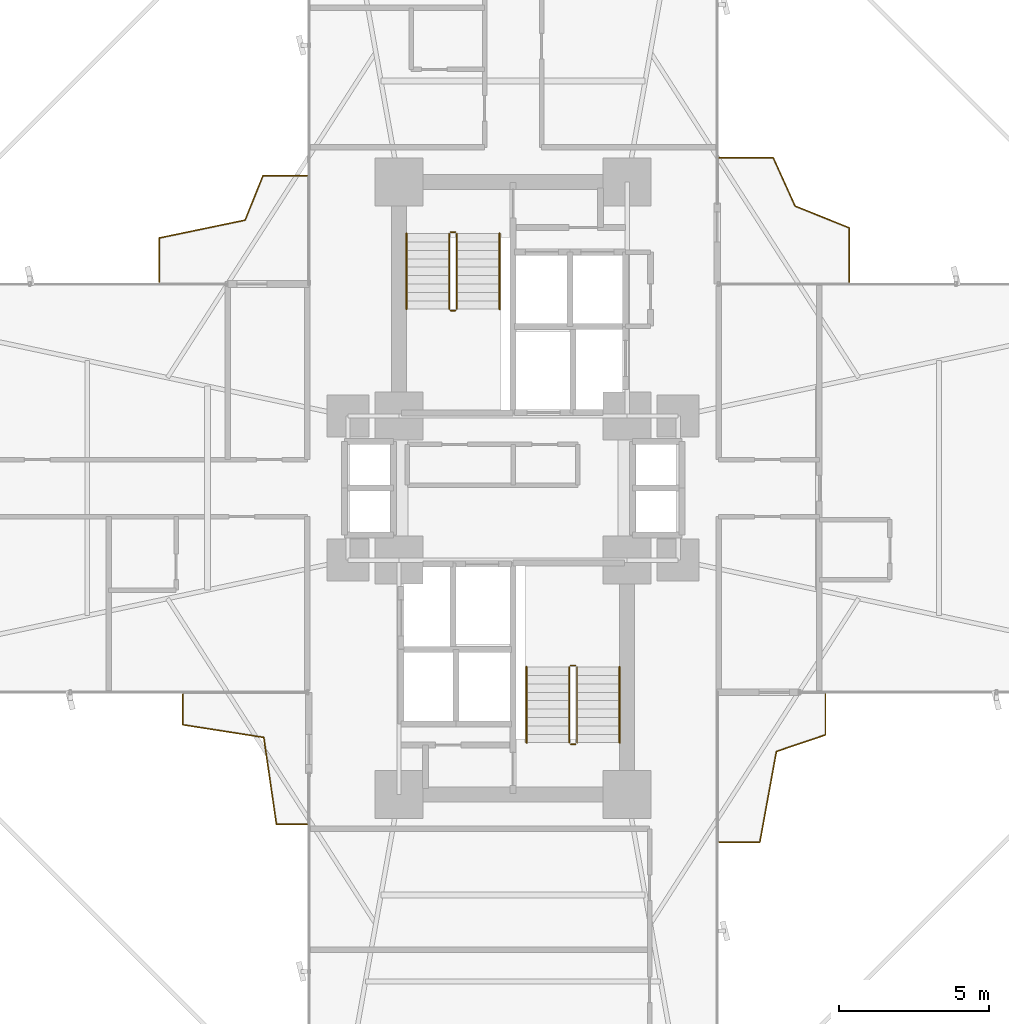
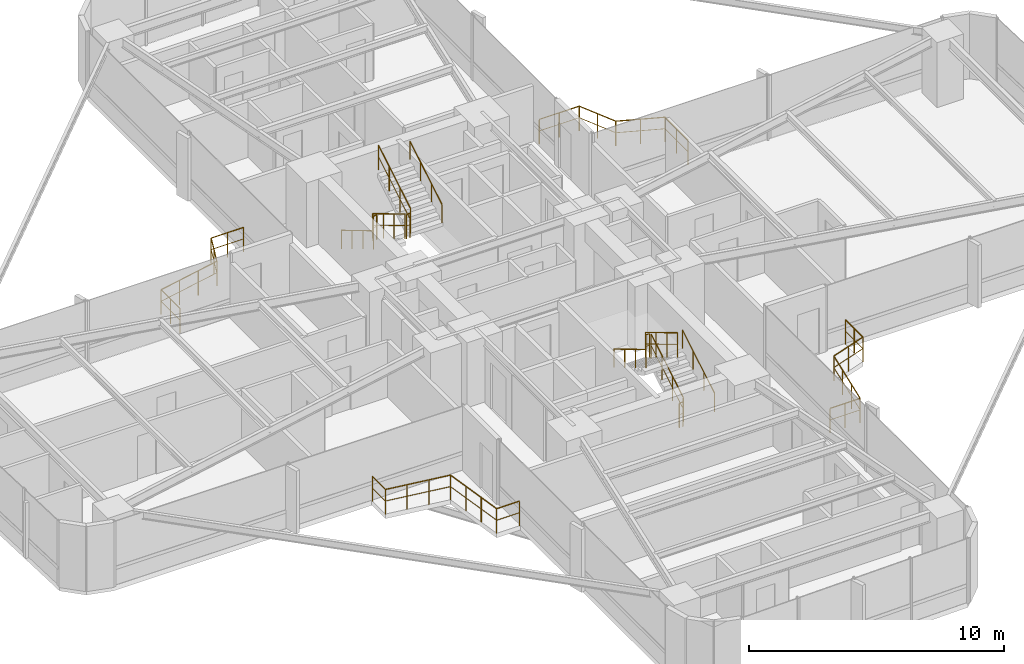
# One storey, part 25 of 25: 16 railings.
"""IFC4 building model written with IfcOpenShell, lengths in metres."""

import ifcopenshell
import ifcopenshell.guid

model = None  # the IFC model being written
_history = None  # IfcOwnerHistory: only IFC2X3 demands one
_inside = {}  # id of a spatial element -> (the spatial element, [elements in it])
_under = {}  # id of a project, library or spatial element -> (it, [spatial elements below it])
_declared = {}  # id of a project -> (the project, [libraries it declares])
_typed = {}  # id of a type object -> (the type object, [elements of that type])
_made_of = {}  # id of a material, layer set ... -> (it, [elements and type objects made of it])


def new_model(schema):
    """Start an empty IFC model of exactly this schema.

    Asked for "IFC4X3", IfcOpenShell would pick the latest addendum, in which some entities
    have other attributes; the version numbers below select the first issue.
    IFC2X3 requires an IfcOwnerHistory on every rooted entity: one is made here for all.
    """
    global model, _history
    if schema == "IFC4X3":
        model = ifcopenshell.file(schema_version=(4, 3, 0, 0))
    else:
        model = ifcopenshell.file(schema=schema)
    _inside.clear()
    _under.clear()
    _declared.clear()
    _typed.clear()
    _made_of.clear()
    _history = None
    if model.schema == "IFC2X3":
        org = make("IfcOrganization", Name="unknown")
        user = make(
            "IfcPersonAndOrganization",
            ThePerson=make("IfcPerson", FamilyName="unknown"),
            TheOrganization=org,
        )
        app = make(
            "IfcApplication",
            ApplicationDeveloper=org,
            Version="unknown",
            ApplicationFullName="unknown",
            ApplicationIdentifier="unknown",
        )
        _history = make(
            "IfcOwnerHistory",
            OwningUser=user,
            OwningApplication=app,
            ChangeAction="ADDED",
            CreationDate=0,
        )
    return model


def make(cls, **values):
    """One entity of the class cls with the attributes given. An attribute that is None is left unset."""
    return model.create_entity(
        cls, **{name: value for name, value in values.items() if value is not None}
    )


def rooted(cls, **values):
    """An entity with a GlobalId (a new one), such as an element, a storey or a relation."""
    return make(cls, GlobalId=ifcopenshell.guid.new(), OwnerHistory=_history, **values)


def si_unit(unit_type, name, prefix=None):
    """IfcSIUnit, for example si_unit("LENGTHUNIT", "METRE", prefix="MILLI")."""
    return make("IfcSIUnit", UnitType=unit_type, Prefix=prefix, Name=name)


def assignment(units):
    """IfcUnitAssignment: the units of a project."""
    return None if units is None else make("IfcUnitAssignment", Units=units)


def point(xyz):
    """IfcCartesianPoint."""
    return None if xyz is None else make("IfcCartesianPoint", Coordinates=xyz)


def direction(xyz):
    """IfcDirection."""
    return None if xyz is None else make("IfcDirection", DirectionRatios=xyz)


def frame(location, z_axis=None, x_axis=None):
    """IfcAxis2Placement3D, a coordinate frame: its origin and axes. An axis left out is left unset."""
    return make(
        "IfcAxis2Placement3D",
        Location=point(location),
        Axis=direction(z_axis),
        RefDirection=direction(x_axis),
    )


def frame_2d(location, x_axis=None):
    """IfcAxis2Placement2D, a coordinate frame in the plane: its origin and x axis."""
    return make(
        "IfcAxis2Placement2D", Location=point(location), RefDirection=direction(x_axis)
    )


def origin():
    """The frame at (0, 0, 0) with its axes left unset."""
    return frame((0.0, 0.0, 0.0))


def origin_2d():
    """The frame at (0, 0) in the plane with its x axis left unset."""
    return frame_2d((0.0, 0.0))


def place(relative_to, where):
    """IfcLocalPlacement: puts the frame where relative to a parent placement (None: the world)."""
    return make(
        "IfcLocalPlacement", PlacementRelTo=relative_to, RelativePlacement=where
    )


def context(
    kind, dimensions, precision=None, world=None, true_north=None, identifier=None
):
    """IfcGeometricRepresentationContext, for example the 3D "Model" context."""
    return make(
        "IfcGeometricRepresentationContext",
        ContextIdentifier=identifier,
        ContextType=kind,
        CoordinateSpaceDimension=dimensions,
        Precision=precision,
        WorldCoordinateSystem=world,
        TrueNorth=true_north,
    )


def subcontext(parent, identifier, kind, view, scale=None):
    """IfcGeometricRepresentationSubContext, for example "Body" below "Model"."""
    return make(
        "IfcGeometricRepresentationSubContext",
        ContextIdentifier=identifier,
        ContextType=kind,
        ParentContext=parent,
        TargetScale=scale,
        TargetView=view,
    )


def project(units=None, contexts=None):
    """IfcProject with its units and contexts."""
    return rooted(
        "IfcProject",
        Name="project",
        RepresentationContexts=contexts,
        UnitsInContext=assignment(units),
    )


def spatial(cls, under=None, at=None, **own):
    """A site, building, storey or space (cls), placed at a placement, below another one or the project."""
    s = rooted(cls, ObjectPlacement=at, **own)
    if under is not None:
        _under.setdefault(under.id(), (under, []))[1].append(s)
    return s


def profile(cls, at=None, kind="AREA", **sizes):
    """A parametric profile (cls). Its sizes go by their IFC names, for example OverallWidth=200.0."""
    return make(cls, ProfileType=kind, Position=at, **sizes)


def circle(**sizes):
    """IfcCircleProfileDef."""
    return profile("IfcCircleProfileDef", **sizes)


def extrude(swept, where, along, depth):
    """IfcExtrudedAreaSolid: the profile swept, set in the frame where, extruded along a direction by depth."""
    return make(
        "IfcExtrudedAreaSolid",
        SweptArea=swept,
        Position=where,
        ExtrudedDirection=direction(along),
        Depth=depth,
    )


def shape(context_of_items, identifier, shape_type, items):
    """IfcShapeRepresentation: the items that make up one representation, for example the "Body"."""
    return make(
        "IfcShapeRepresentation",
        ContextOfItems=context_of_items,
        RepresentationIdentifier=identifier,
        RepresentationType=shape_type,
        Items=items,
    )


def material(Name=None, Category=None):
    """IfcMaterial."""
    return make("IfcMaterial", Name=Name, Category=Category)


def made_of(thing, what):
    """Note that an element or type object is made of a material, layer set ...; save() writes the relation."""
    if what is not None:
        _made_of.setdefault(what.id(), (what, []))[1].append(thing)
    return thing


def type_object(cls, material=None, **own):
    """A type object (cls), such as IfcWallType, which elements share."""
    return made_of(rooted(cls, **own), material)


def element(
    cls,
    number,
    at=None,
    inside=None,
    cuts=None,
    type_object=None,
    material=None,
    context=None,
    identifier="Body",
    shape_type=None,
    held_by="IfcProductDefinitionShape",
    body=None,
    shapes=None,
    **own,
):
    """One element of the class cls, such as IfcWall. Its Tag is "e" and its number.

    at: its placement. inside: the storey or other place that contains it. cuts: it is an
    opening in that element (IfcRelVoidsElement). A single representation is given by context,
    identifier, shape_type and body (its items); several are given by shapes. held_by: the class
    of the entity that holds the representations. save() writes the other relations.
    """
    e = rooted(cls, Tag="e%d" % number, ObjectPlacement=at, **own)
    if body is not None:
        shapes = [shape(context, identifier, shape_type, body)]
    if shapes is not None:
        e.Representation = make(held_by, Representations=shapes)
    if inside is not None:
        _inside.setdefault(inside.id(), (inside, []))[1].append(e)
    if cuts is not None:
        rooted(
            "IfcRelVoidsElement", RelatingBuildingElement=cuts, RelatedOpeningElement=e
        )
    if type_object is not None:
        _typed.setdefault(type_object.id(), (type_object, []))[1].append(e)
    return made_of(e, material)


def aggregate(whole, parts):
    """IfcRelAggregates: a whole, such as a stair, and the parts it consists of."""
    return rooted("IfcRelAggregates", RelatingObject=whole, RelatedObjects=parts)


def save(model, path):
    """Write the relations noted so far, then the file.

    IfcRelAggregates (storeys below a building ...), IfcRelContainedInSpatialStructure (elements
    in a storey), IfcRelDefinesByType, IfcRelAssociatesMaterial and IfcRelDeclares: one each for
    every whole, place, type object, material and project.
    """
    for whole, parts in _under.values():
        aggregate(whole, parts)
    for where, things in _inside.values():
        rooted(
            "IfcRelContainedInSpatialStructure",
            RelatedElements=things,
            RelatingStructure=where,
        )
    for kind, things in _typed.values():
        rooted("IfcRelDefinesByType", RelatedObjects=things, RelatingType=kind)
    for what, things in _made_of.values():
        rooted("IfcRelAssociatesMaterial", RelatedObjects=things, RelatingMaterial=what)
    for by, libraries in _declared.values():
        rooted("IfcRelDeclares", RelatingContext=by, RelatedDefinitions=libraries)
    model.write(path)


model = new_model("IFC4")

# Units and contexts
model_context = context("Model", 3, precision=1e-05, world=origin(), true_north=direction((0.0, 1.0)))
body_context = subcontext(model_context, "Body", "Model", "MODEL_VIEW")
ifc_project = project(units=[si_unit("LENGTHUNIT", "METRE"), si_unit("AREAUNIT", "SQUARE_METRE"), si_unit("VOLUMEUNIT", "CUBIC_METRE"), si_unit("PLANEANGLEUNIT", "RADIAN"), si_unit("MASSUNIT", "GRAM", prefix="KILO")], contexts=[model_context])

# Site, building, storey
site_placement = place(None, origin())
site = spatial("IfcSite", under=ifc_project, at=site_placement, CompositionType="ELEMENT")
building_placement = place(site_placement, origin())
building = spatial("IfcBuilding", under=site, at=building_placement, Name="Sahyath Konkavel Grand Hotel", CompositionType="ELEMENT")
storey_placement = place(building_placement, frame((0.0, 0.0, 54.39990234375)))
storey = spatial("IfcBuildingStorey", under=building, at=storey_placement, Name="L14", CompositionType="ELEMENT", Elevation=54.39990234375)

# Railings
ifc_material_1 = material(Name="Anodised Bronze Aluminium", Category="aluminium")
railing_type_1 = type_object("IfcRailingType", Name="RLG-BALC-1200", PredefinedType="GUARDRAIL", material=ifc_material_1)
railing_1_placement = place(storey_placement, frame((11.198974609375, 6.860107421875, 0.0)))
element("IfcRailing", 1, at=railing_1_placement, inside=storey, type_object=railing_type_1, Name="L14 Winter-Garden Guard NE", PredefinedType="GUARDRAIL", context=body_context, shape_type="SweptSolid", body=[
    extrude(circle(Radius=0.02392578125, at=origin_2d()), frame((0.0, 0.001953125, 1.17578125), z_axis=(0.0, 1.0, 0.0), x_axis=(-1.0, 0.0, 0.0)), (0.0, 0.0, 1.0), 1.804443359375),
    extrude(circle(Radius=0.01416015625, at=origin_2d()), frame((0.0, 0.001953125, 0.6240234375), z_axis=(0.0, 1.0, 0.0), x_axis=(-1.0, 0.0, 0.0)), (0.0, 0.0, 1.0), 1.804443359375),
    extrude(circle(Radius=0.02392578125, at=origin_2d()), frame((-0.001953125, 1.80908203125, 1.17578125), z_axis=(-0.927590980108, 0.373597341562, 0.0), x_axis=(-0.373597341562, -0.927590980108, 0.0)), (0.0, 0.0, 1.0), 1.940673828125),
    extrude(circle(Radius=0.01416015625, at=origin_2d()), frame((-0.001953125, 1.80908203125, 0.6240234375), z_axis=(-0.927590980108, 0.373597341562, 0.0), x_axis=(-0.373597341562, -0.927590980108, 0.0)), (0.0, 0.0, 1.0), 1.940673828125),
    extrude(circle(Radius=0.02392578125, at=origin_2d()), frame((-1.8046875, 2.53662109375, 1.17578125), z_axis=(-0.412195245065, 0.911095538319, 0.0), x_axis=(-0.911095538319, -0.412195245065, 0.0)), (0.0, 0.0, 1.0), 1.758544921875),
    extrude(circle(Radius=0.01416015625, at=origin_2d()), frame((-1.8046875, 2.53662109375, 0.6240234375), z_axis=(-0.412195245065, 0.911095538319, 0.0), x_axis=(-0.911095538319, -0.412195245065, 0.0)), (0.0, 0.0, 1.0), 1.758544921875),
    extrude(circle(Radius=0.02392578125, at=origin_2d()), frame((-2.532470703125, 4.140869140625, 1.17578125), z_axis=(-1.0, 0.0, 0.0), x_axis=(0.0, -1.0, 0.0)), (0.0, 0.0, 1.0), 1.804443359375),
    extrude(circle(Radius=0.01416015625, at=origin_2d()), frame((-2.532470703125, 4.140869140625, 0.6240234375), z_axis=(-1.0, 0.0, 0.0), x_axis=(0.0, -1.0, 0.0)), (0.0, 0.0, 1.0), 1.804443359375),
    extrude(circle(Radius=0.02099609375, at=origin_2d()), origin(), (0.0, 0.0, 1.0), 1.15185546875),
    extrude(circle(Radius=0.02099609375, at=origin_2d()), frame((0.0, 0.904296875, 0.0)), (0.0, 0.0, 1.0), 1.15185546875),
    extrude(circle(Radius=0.02099609375, at=origin_2d()), frame((0.0, 1.808349609375, 0.0)), (0.0, 0.0, 1.0), 1.15185546875),
    extrude(circle(Radius=0.02099609375, at=origin_2d()), frame((-0.90185546875, 2.171630859375, 0.0)), (0.0, 0.0, 1.0), 1.15185546875),
    extrude(circle(Radius=0.02099609375, at=origin_2d()), frame((-1.803955078125, 2.534912109375, 0.0)), (0.0, 0.0, 1.0), 1.15185546875),
    extrude(circle(Radius=0.02099609375, at=origin_2d()), frame((-2.167236328125, 3.337890625, 0.0)), (0.0, 0.0, 1.0), 1.15185546875),
    extrude(circle(Radius=0.02099609375, at=origin_2d()), frame((-2.530517578125, 4.140869140625, 0.0)), (0.0, 0.0, 1.0), 1.15185546875),
    extrude(circle(Radius=0.02099609375, at=origin_2d()), frame((-3.4345703125, 4.140869140625, 0.0)), (0.0, 0.0, 1.0), 1.15185546875),
    extrude(circle(Radius=0.02099609375, at=origin_2d()), frame((-4.3388671875, 4.140869140625, 0.0)), (0.0, 0.0, 1.0), 1.15185546875),
])
railing_2_placement = place(storey_placement, frame((-6.860107421875, 10.406982421875, 0.0)))
element("IfcRailing", 2, at=railing_2_placement, inside=storey, type_object=railing_type_1, Name="L14 Winter-Garden Guard NW", PredefinedType="GUARDRAIL", context=body_context, shape_type="SweptSolid", body=[
    extrude(circle(Radius=0.02392578125, at=origin_2d()), frame((-0.001953125, 0.0, 1.17578125), z_axis=(-1.0, 0.0, 0.0), x_axis=(0.0, -1.0, 0.0)), (0.0, 0.0, 1.0), 1.46728515625),
    extrude(circle(Radius=0.01416015625, at=origin_2d()), frame((-0.001953125, 0.0, 0.6240234375), z_axis=(-1.0, 0.0, 0.0), x_axis=(0.0, -1.0, 0.0)), (0.0, 0.0, 1.0), 1.46728515625),
    extrude(circle(Radius=0.02392578125, at=origin_2d()), frame((-1.471923828125, -0.001953125, 1.17578125), z_axis=(-0.373395040789, -0.927672433305, 0.0), x_axis=(0.927672433305, -0.373395040789, 0.0)), (0.0, 0.0, 1.0), 1.59130859375),
    extrude(circle(Radius=0.01416015625, at=origin_2d()), frame((-1.471923828125, -0.001953125, 0.6240234375), z_axis=(-0.373395040789, -0.927672433305, 0.0), x_axis=(0.927672433305, -0.373395040789, 0.0)), (0.0, 0.0, 1.0), 1.59130859375),
    extrude(circle(Radius=0.02392578125, at=origin_2d()), frame((-2.06884765625, -1.48046875, 1.17578125), z_axis=(-0.979073989329, -0.203504602944, 0.0), x_axis=(0.203504602944, -0.979073989329, 0.0)), (0.0, 0.0, 1.0), 2.92333984375),
    extrude(circle(Radius=0.01416015625, at=origin_2d()), frame((-2.06884765625, -1.48046875, 0.6240234375), z_axis=(-0.979073989329, -0.203504602944, 0.0), x_axis=(0.203504602944, -0.979073989329, 0.0)), (0.0, 0.0, 1.0), 2.92333984375),
    extrude(circle(Radius=0.02392578125, at=origin_2d()), frame((-4.932861328125, -2.07763671875, 1.17578125), z_axis=(0.0, -1.0, 0.0), x_axis=(1.0, 0.0, 0.0)), (0.0, 0.0, 1.0), 1.46728515625),
    extrude(circle(Radius=0.01416015625, at=origin_2d()), frame((-4.932861328125, -2.07763671875, 0.6240234375), z_axis=(0.0, -1.0, 0.0), x_axis=(1.0, 0.0, 0.0)), (0.0, 0.0, 1.0), 1.46728515625),
    extrude(circle(Radius=0.02099609375, at=origin_2d()), origin(), (0.0, 0.0, 1.0), 1.15185546875),
    extrude(circle(Radius=0.02099609375, at=origin_2d()), frame((-0.735595703125, 0.0, 0.0)), (0.0, 0.0, 1.0), 1.15185546875),
    extrude(circle(Radius=0.02099609375, at=origin_2d()), frame((-1.47119140625, 0.0, 0.0)), (0.0, 0.0, 1.0), 1.15185546875),
    extrude(circle(Radius=0.02099609375, at=origin_2d()), frame((-1.76904296875, -0.739990234375, 0.0)), (0.0, 0.0, 1.0), 1.15185546875),
    extrude(circle(Radius=0.02099609375, at=origin_2d()), frame((-2.06689453125, -1.47998046875, 0.0)), (0.0, 0.0, 1.0), 1.15185546875),
    extrude(circle(Radius=0.02099609375, at=origin_2d()), frame((-3.022216796875, -1.678466796875, 0.0)), (0.0, 0.0, 1.0), 1.15185546875),
    extrude(circle(Radius=0.02099609375, at=origin_2d()), frame((-3.9775390625, -1.877197265625, 0.0)), (0.0, 0.0, 1.0), 1.15185546875),
    extrude(circle(Radius=0.02099609375, at=origin_2d()), frame((-4.932861328125, -2.07568359375, 0.0)), (0.0, 0.0, 1.0), 1.15185546875),
    extrude(circle(Radius=0.02099609375, at=origin_2d()), frame((-4.932861328125, -2.811279296875, 0.0)), (0.0, 0.0, 1.0), 1.15185546875),
    extrude(circle(Radius=0.02099609375, at=origin_2d()), frame((-4.932861328125, -3.546875, 0.0)), (0.0, 0.0, 1.0), 1.15185546875),
])
railing_3_placement = place(storey_placement, frame((-11.0009765625, -6.860107421875, 0.0)))
element("IfcRailing", 3, at=railing_3_placement, inside=storey, type_object=railing_type_1, Name="L14 Winter-Garden Guard SW", PredefinedType="GUARDRAIL", context=body_context, shape_type="SweptSolid", body=[
    extrude(circle(Radius=0.02392578125, at=origin_2d()), frame((0.0, -0.001953125, 1.17578125), z_axis=(0.0, -1.0, 0.0), x_axis=(1.0, 0.0, 0.0)), (0.0, 0.0, 1.0), 1.01953125),
    extrude(circle(Radius=0.01416015625, at=origin_2d()), frame((0.0, -0.001953125, 0.6240234375), z_axis=(0.0, -1.0, 0.0), x_axis=(1.0, 0.0, 0.0)), (0.0, 0.0, 1.0), 1.01953125),
    extrude(circle(Radius=0.02392578125, at=origin_2d()), frame((0.001953125, -1.023681640625, 1.17578125), z_axis=(0.988004783039, -0.154423277689, 0.0), x_axis=(0.154423277689, 0.988004783039, 0.0)), (0.0, 0.0, 1.0), 2.724853515625),
    extrude(circle(Radius=0.01416015625, at=origin_2d()), frame((0.001953125, -1.023681640625, 0.6240234375), z_axis=(0.988004783039, -0.154423277689, 0.0), x_axis=(0.154423277689, 0.988004783039, 0.0)), (0.0, 0.0, 1.0), 2.724853515625),
    extrude(circle(Radius=0.02392578125, at=origin_2d()), frame((2.6962890625, -1.44677734375, 1.17578125), z_axis=(0.144085507529, -0.989565241164, 0.0), x_axis=(0.989565241164, 0.144085507529, 0.0)), (0.0, 0.0, 1.0), 2.920654296875),
    extrude(circle(Radius=0.01416015625, at=origin_2d()), frame((2.6962890625, -1.44677734375, 0.6240234375), z_axis=(0.144085507529, -0.989565241164, 0.0), x_axis=(0.989565241164, 0.144085507529, 0.0)), (0.0, 0.0, 1.0), 2.920654296875),
    extrude(circle(Radius=0.02392578125, at=origin_2d()), frame((3.119384765625, -4.3388671875, 1.17578125), z_axis=(1.0, 0.0, 0.0), x_axis=(0.0, 1.0, 0.0)), (0.0, 0.0, 1.0), 1.01953125),
    extrude(circle(Radius=0.01416015625, at=origin_2d()), frame((3.119384765625, -4.3388671875, 0.6240234375), z_axis=(1.0, 0.0, 0.0), x_axis=(0.0, 1.0, 0.0)), (0.0, 0.0, 1.0), 1.01953125),
    extrude(circle(Radius=0.02099609375, at=origin_2d()), origin(), (0.0, 0.0, 1.0), 1.15185546875),
    extrude(circle(Radius=0.02099609375, at=origin_2d()), frame((0.0, -1.0234375, 0.0)), (0.0, 0.0, 1.0), 1.15185546875),
    extrude(circle(Radius=0.02099609375, at=origin_2d()), frame((0.898681640625, -1.163818359375, 0.0)), (0.0, 0.0, 1.0), 1.15185546875),
    extrude(circle(Radius=0.02099609375, at=origin_2d()), frame((1.79736328125, -1.304443359375, 0.0)), (0.0, 0.0, 1.0), 1.15185546875),
    extrude(circle(Radius=0.02099609375, at=origin_2d()), frame((2.696044921875, -1.44482421875, 0.0)), (0.0, 0.0, 1.0), 1.15185546875),
    extrude(circle(Radius=0.02099609375, at=origin_2d()), frame((2.83642578125, -2.409423828125, 0.0)), (0.0, 0.0, 1.0), 1.15185546875),
    extrude(circle(Radius=0.02099609375, at=origin_2d()), frame((2.97705078125, -3.374267578125, 0.0)), (0.0, 0.0, 1.0), 1.15185546875),
    extrude(circle(Radius=0.02099609375, at=origin_2d()), frame((3.117431640625, -4.3388671875, 0.0)), (0.0, 0.0, 1.0), 1.15185546875),
    extrude(circle(Radius=0.02099609375, at=origin_2d()), frame((4.140869140625, -4.3388671875, 0.0)), (0.0, 0.0, 1.0), 1.15185546875),
])
railing_4_placement = place(storey_placement, frame((6.860107421875, -11.79296875, 0.0)))
element("IfcRailing", 4, at=railing_4_placement, inside=storey, type_object=railing_type_1, Name="L14 Winter-Garden Guard SE", PredefinedType="GUARDRAIL", context=body_context, shape_type="SweptSolid", body=[
    extrude(circle(Radius=0.02392578125, at=origin_2d()), frame((0.001953125, 0.0, 1.17578125), z_axis=(1.0, 0.0, 0.0), x_axis=(0.0, 1.0, 0.0)), (0.0, 0.0, 1.0), 1.356689453125),
    extrude(circle(Radius=0.01416015625, at=origin_2d()), frame((0.001953125, 0.0, 0.6240234375), z_axis=(1.0, 0.0, 0.0), x_axis=(0.0, 1.0, 0.0)), (0.0, 0.0, 1.0), 1.356689453125),
    extrude(circle(Radius=0.02392578125, at=origin_2d()), frame((1.36083984375, 0.001953125, 1.17578125), z_axis=(0.179879055482, 0.983688734, 0.0), x_axis=(-0.983688734, 0.179879055482, 0.0)), (0.0, 0.0, 1.0), 3.066162109375),
    extrude(circle(Radius=0.01416015625, at=origin_2d()), frame((1.36083984375, 0.001953125, 0.6240234375), z_axis=(0.179879055482, 0.983688734, 0.0), x_axis=(-0.983688734, 0.179879055482, 0.0)), (0.0, 0.0, 1.0), 3.066162109375),
    extrude(circle(Radius=0.02392578125, at=origin_2d()), frame((1.914794921875, 3.020751953125, 1.17578125), z_axis=(0.947358712774, 0.320174123457, 0.0), x_axis=(-0.320174123457, 0.947358712774, 0.0)), (0.0, 0.0, 1.0), 1.720947265625),
    extrude(circle(Radius=0.01416015625, at=origin_2d()), frame((1.914794921875, 3.020751953125, 0.6240234375), z_axis=(0.947358712774, 0.320174123457, 0.0), x_axis=(-0.320174123457, 0.947358712774, 0.0)), (0.0, 0.0, 1.0), 1.720947265625),
    extrude(circle(Radius=0.02392578125, at=origin_2d()), frame((3.546875, 3.57421875, 1.17578125), z_axis=(0.0, 1.0, 0.0), x_axis=(-1.0, 0.0, 0.0)), (0.0, 0.0, 1.0), 1.356689453125),
    extrude(circle(Radius=0.01416015625, at=origin_2d()), frame((3.546875, 3.57421875, 0.6240234375), z_axis=(0.0, 1.0, 0.0), x_axis=(-1.0, 0.0, 0.0)), (0.0, 0.0, 1.0), 1.356689453125),
    extrude(circle(Radius=0.02099609375, at=origin_2d()), origin(), (0.0, 0.0, 1.0), 1.15185546875),
    extrude(circle(Radius=0.02099609375, at=origin_2d()), frame((0.68017578125, 0.0, 0.0)), (0.0, 0.0, 1.0), 1.15185546875),
    extrude(circle(Radius=0.02099609375, at=origin_2d()), frame((1.360595703125, 0.0, 0.0)), (0.0, 0.0, 1.0), 1.15185546875),
    extrude(circle(Radius=0.02099609375, at=origin_2d()), frame((1.544677734375, 1.006591796875, 0.0)), (0.0, 0.0, 1.0), 1.15185546875),
    extrude(circle(Radius=0.02099609375, at=origin_2d()), frame((1.728759765625, 2.013427734375, 0.0)), (0.0, 0.0, 1.0), 1.15185546875),
    extrude(circle(Radius=0.02099609375, at=origin_2d()), frame((1.912841796875, 3.02001953125, 0.0)), (0.0, 0.0, 1.0), 1.15185546875),
    extrude(circle(Radius=0.02099609375, at=origin_2d()), frame((2.72998046875, 3.296142578125, 0.0)), (0.0, 0.0, 1.0), 1.15185546875),
    extrude(circle(Radius=0.02099609375, at=origin_2d()), frame((3.546875, 3.572265625, 0.0)), (0.0, 0.0, 1.0), 1.15185546875),
    extrude(circle(Radius=0.02099609375, at=origin_2d()), frame((3.546875, 4.25244140625, 0.0)), (0.0, 0.0, 1.0), 1.15185546875),
    extrude(circle(Radius=0.02099609375, at=origin_2d()), frame((3.546875, 4.932861328125, 0.0)), (0.0, 0.0, 1.0), 1.15185546875),
])
ifc_material_2 = material(Name="Steel E350", Category="steel")
railing_type_2 = type_object("IfcRailingType", Name="RLG-STAIR-GRD", PredefinedType="GUARDRAIL", material=ifc_material_2)
railing_5_placement = place(storey_placement, frame((-2.1298828125, 8.47998046875, 0.16748046875)))
element("IfcRailing", 5, at=railing_5_placement, inside=storey, type_object=railing_type_2, Name="L14 ST-1 stair guard 1", PredefinedType="GUARDRAIL", context=body_context, shape_type="SweptSolid", body=[
    extrude(circle(Radius=0.02392578125, at=origin_2d()), frame((0.0, -0.001708984375, 1.177001953125), z_axis=(0.0, -0.858159760407, 0.513382728203), x_axis=(1.0, 0.0, 0.0)), (0.0, 0.0, 1.0), 2.9326171875),
    extrude(circle(Radius=0.01416015625, at=origin_2d()), frame((0.0, -0.001708984375, 0.625), z_axis=(0.0, -0.858159760407, 0.513382728203), x_axis=(1.0, 0.0, 0.0)), (0.0, 0.0, 1.0), 2.9326171875),
    extrude(circle(Radius=0.02099609375, at=origin_2d()), origin(), (0.0, 0.0, 1.0), 1.15185546875),
    extrude(circle(Radius=0.02099609375, at=origin_2d()), frame((0.0, -0.840087890625, 0.50244140625)), (0.0, 0.0, 1.0), 1.15185546875),
    extrude(circle(Radius=0.02099609375, at=origin_2d()), frame((0.0, -1.679931640625, 1.005126953125)), (0.0, 0.0, 1.0), 1.15185546875),
    extrude(circle(Radius=0.02099609375, at=origin_2d()), frame((0.0, -2.52001953125, 1.507568359375)), (0.0, 0.0, 1.0), 1.15185546875),
])
railing_6_placement = place(storey_placement, frame((-2.080078125, 5.909912109375, 1.675048828125)))
element("IfcRailing", 6, at=railing_6_placement, inside=storey, type_object=railing_type_2, Name="L14 ST-1 stair guard 2", PredefinedType="GUARDRAIL", context=body_context, shape_type="SweptSolid", body=[
    extrude(circle(Radius=0.02392578125, at=origin_2d()), frame((0.001953125, 0.0, 1.17578125), z_axis=(1.0, 0.0, 0.0), x_axis=(0.0, 1.0, 0.0)), (0.0, 0.0, 1.0), 0.15625),
    extrude(circle(Radius=0.01416015625, at=origin_2d()), frame((0.001953125, 0.0, 0.6240234375), z_axis=(1.0, 0.0, 0.0), x_axis=(0.0, 1.0, 0.0)), (0.0, 0.0, 1.0), 0.15625),
    extrude(circle(Radius=0.02099609375, at=origin_2d()), origin(), (0.0, 0.0, 1.0), 1.15185546875),
    extrude(circle(Radius=0.02099609375, at=origin_2d()), frame((0.16015625, 0.0, 0.0)), (0.0, 0.0, 1.0), 1.15185546875),
])
railing_7_placement = place(storey_placement, frame((-1.8701171875, 5.9599609375, 1.842529296875)))
element("IfcRailing", 7, at=railing_7_placement, inside=storey, type_object=railing_type_2, Name="L14 ST-1 stair guard 3", PredefinedType="GUARDRAIL", context=body_context, shape_type="SweptSolid", body=[
    extrude(circle(Radius=0.02392578125, at=origin_2d()), frame((0.0, 0.001708984375, 1.177001953125), z_axis=(0.0, 0.858159760407, 0.513382728203), x_axis=(-1.0, 0.0, 0.0)), (0.0, 0.0, 1.0), 2.9326171875),
    extrude(circle(Radius=0.01416015625, at=origin_2d()), frame((0.0, 0.001708984375, 0.625), z_axis=(0.0, 0.858159760407, 0.513382728203), x_axis=(-1.0, 0.0, 0.0)), (0.0, 0.0, 1.0), 2.9326171875),
    extrude(circle(Radius=0.02099609375, at=origin_2d()), origin(), (0.0, 0.0, 1.0), 1.15185546875),
    extrude(circle(Radius=0.02099609375, at=origin_2d()), frame((0.0, 0.840087890625, 0.50244140625)), (0.0, 0.0, 1.0), 1.15185546875),
    extrude(circle(Radius=0.02099609375, at=origin_2d()), frame((0.0, 1.679931640625, 1.005126953125)), (0.0, 0.0, 1.0), 1.15185546875),
    extrude(circle(Radius=0.02099609375, at=origin_2d()), frame((0.0, 2.52001953125, 1.507568359375)), (0.0, 0.0, 1.0), 1.15185546875),
])
railing_8_placement = place(storey_placement, frame((-2.080078125, 8.530029296875, 0.0)))
element("IfcRailing", 8, at=railing_8_placement, inside=storey, type_object=railing_type_2, Name="L14 ST-1 stair guard 4", PredefinedType="GUARDRAIL", context=body_context, shape_type="SweptSolid", body=[
    extrude(circle(Radius=0.02392578125, at=origin_2d()), frame((0.001953125, 0.0, 1.17578125), z_axis=(1.0, 0.0, 0.0), x_axis=(0.0, 1.0, 0.0)), (0.0, 0.0, 1.0), 0.15625),
    extrude(circle(Radius=0.01416015625, at=origin_2d()), frame((0.001953125, 0.0, 0.6240234375), z_axis=(1.0, 0.0, 0.0), x_axis=(0.0, 1.0, 0.0)), (0.0, 0.0, 1.0), 0.15625),
    extrude(circle(Radius=0.02099609375, at=origin_2d()), origin(), (0.0, 0.0, 1.0), 1.15185546875),
    extrude(circle(Radius=0.02099609375, at=origin_2d()), frame((0.16015625, 0.0, 0.0)), (0.0, 0.0, 1.0), 1.15185546875),
])
railing_9_placement = place(storey_placement, frame((2.1298828125, -8.47998046875, 0.16748046875)))
element("IfcRailing", 9, at=railing_9_placement, inside=storey, type_object=railing_type_2, Name="L14 ST-2 stair guard 1", PredefinedType="GUARDRAIL", context=body_context, shape_type="SweptSolid", body=[
    extrude(circle(Radius=0.02392578125, at=origin_2d()), frame((0.0, 0.001708984375, 1.177001953125), z_axis=(0.0, 0.858159760407, 0.513382728203), x_axis=(-1.0, 0.0, 0.0)), (0.0, 0.0, 1.0), 2.9326171875),
    extrude(circle(Radius=0.01416015625, at=origin_2d()), frame((0.0, 0.001708984375, 0.625), z_axis=(0.0, 0.858159760407, 0.513382728203), x_axis=(-1.0, 0.0, 0.0)), (0.0, 0.0, 1.0), 2.9326171875),
    extrude(circle(Radius=0.02099609375, at=origin_2d()), origin(), (0.0, 0.0, 1.0), 1.15185546875),
    extrude(circle(Radius=0.02099609375, at=origin_2d()), frame((0.0, 0.840087890625, 0.50244140625)), (0.0, 0.0, 1.0), 1.15185546875),
    extrude(circle(Radius=0.02099609375, at=origin_2d()), frame((0.0, 1.679931640625, 1.005126953125)), (0.0, 0.0, 1.0), 1.15185546875),
    extrude(circle(Radius=0.02099609375, at=origin_2d()), frame((0.0, 2.52001953125, 1.507568359375)), (0.0, 0.0, 1.0), 1.15185546875),
])
railing_10_placement = place(storey_placement, frame((2.080078125, -5.909912109375, 1.675048828125)))
element("IfcRailing", 10, at=railing_10_placement, inside=storey, type_object=railing_type_2, Name="L14 ST-2 stair guard 2", PredefinedType="GUARDRAIL", context=body_context, shape_type="SweptSolid", body=[
    extrude(circle(Radius=0.02392578125, at=origin_2d()), frame((-0.001953125, 0.0, 1.17578125), z_axis=(-1.0, 0.0, 0.0), x_axis=(0.0, -1.0, 0.0)), (0.0, 0.0, 1.0), 0.15625),
    extrude(circle(Radius=0.01416015625, at=origin_2d()), frame((-0.001953125, 0.0, 0.6240234375), z_axis=(-1.0, 0.0, 0.0), x_axis=(0.0, -1.0, 0.0)), (0.0, 0.0, 1.0), 0.15625),
    extrude(circle(Radius=0.02099609375, at=origin_2d()), origin(), (0.0, 0.0, 1.0), 1.15185546875),
    extrude(circle(Radius=0.02099609375, at=origin_2d()), frame((-0.16015625, 0.0, 0.0)), (0.0, 0.0, 1.0), 1.15185546875),
])
railing_11_placement = place(storey_placement, frame((1.8701171875, -5.9599609375, 1.842529296875)))
element("IfcRailing", 11, at=railing_11_placement, inside=storey, type_object=railing_type_2, Name="L14 ST-2 stair guard 3", PredefinedType="GUARDRAIL", context=body_context, shape_type="SweptSolid", body=[
    extrude(circle(Radius=0.02392578125, at=origin_2d()), frame((0.0, -0.001708984375, 1.177001953125), z_axis=(0.0, -0.858159760407, 0.513382728203), x_axis=(1.0, 0.0, 0.0)), (0.0, 0.0, 1.0), 2.9326171875),
    extrude(circle(Radius=0.01416015625, at=origin_2d()), frame((0.0, -0.001708984375, 0.625), z_axis=(0.0, -0.858159760407, 0.513382728203), x_axis=(1.0, 0.0, 0.0)), (0.0, 0.0, 1.0), 2.9326171875),
    extrude(circle(Radius=0.02099609375, at=origin_2d()), origin(), (0.0, 0.0, 1.0), 1.15185546875),
    extrude(circle(Radius=0.02099609375, at=origin_2d()), frame((0.0, -0.840087890625, 0.50244140625)), (0.0, 0.0, 1.0), 1.15185546875),
    extrude(circle(Radius=0.02099609375, at=origin_2d()), frame((0.0, -1.679931640625, 1.005126953125)), (0.0, 0.0, 1.0), 1.15185546875),
    extrude(circle(Radius=0.02099609375, at=origin_2d()), frame((0.0, -2.52001953125, 1.507568359375)), (0.0, 0.0, 1.0), 1.15185546875),
])
railing_12_placement = place(storey_placement, frame((2.080078125, -8.530029296875, 0.0)))
element("IfcRailing", 12, at=railing_12_placement, inside=storey, type_object=railing_type_2, Name="L14 ST-2 stair guard 4", PredefinedType="GUARDRAIL", context=body_context, shape_type="SweptSolid", body=[
    extrude(circle(Radius=0.02392578125, at=origin_2d()), frame((-0.001953125, 0.0, 1.17578125), z_axis=(-1.0, 0.0, 0.0), x_axis=(0.0, -1.0, 0.0)), (0.0, 0.0, 1.0), 0.15625),
    extrude(circle(Radius=0.01416015625, at=origin_2d()), frame((-0.001953125, 0.0, 0.6240234375), z_axis=(-1.0, 0.0, 0.0), x_axis=(0.0, -1.0, 0.0)), (0.0, 0.0, 1.0), 0.15625),
    extrude(circle(Radius=0.02099609375, at=origin_2d()), origin(), (0.0, 0.0, 1.0), 1.15185546875),
    extrude(circle(Radius=0.02099609375, at=origin_2d()), frame((-0.16015625, 0.0, 0.0)), (0.0, 0.0, 1.0), 1.15185546875),
])
railing_type_3 = type_object("IfcRailingType", Name="RLG-STAIR-HND", PredefinedType="HANDRAIL", material=ifc_material_1)
railing_13_placement = place(storey_placement, frame((-3.550048828125, 8.47998046875, 0.16748046875)))
element("IfcRailing", 13, at=railing_13_placement, inside=storey, type_object=railing_type_3, Name="L14 ST-1 stair handrail 1", PredefinedType="HANDRAIL", context=body_context, shape_type="SweptSolid", body=[
    extrude(circle(Radius=0.02392578125, at=origin_2d()), frame((0.0, -0.001708984375, 0.876953125), z_axis=(0.0, -0.858159760407, 0.513382728203), x_axis=(1.0, 0.0, 0.0)), (0.0, 0.0, 1.0), 2.9326171875),
    extrude(circle(Radius=0.02099609375, at=origin_2d()), origin(), (0.0, 0.0, 1.0), 0.851806640625),
    extrude(circle(Radius=0.02099609375, at=origin_2d()), frame((0.0, -0.840087890625, 0.50244140625)), (0.0, 0.0, 1.0), 0.851806640625),
    extrude(circle(Radius=0.02099609375, at=origin_2d()), frame((0.0, -1.679931640625, 1.005126953125)), (0.0, 0.0, 1.0), 0.851806640625),
    extrude(circle(Radius=0.02099609375, at=origin_2d()), frame((0.0, -2.52001953125, 1.507568359375)), (0.0, 0.0, 1.0), 0.851806640625),
])
for number, where, name in (
    (14, (-0.449951171875, 5.9599609375, 1.842529296875), "L14 ST-1 stair handrail 2"),
    (15, (3.550048828125, -8.47998046875, 0.16748046875), "L14 ST-2 stair handrail 1"),
):
    element("IfcRailing", number, at=place(storey_placement, frame(where)), inside=storey, type_object=railing_type_3, Name=name, PredefinedType="HANDRAIL", context=body_context, shape_type="SweptSolid", body=[
        extrude(circle(Radius=0.02392578125, at=origin_2d()), frame((0.0, 0.001708984375, 0.876953125), z_axis=(0.0, 0.858159760407, 0.513382728203), x_axis=(-1.0, 0.0, 0.0)), (0.0, 0.0, 1.0), 2.9326171875),
        extrude(circle(Radius=0.02099609375, at=origin_2d()), origin(), (0.0, 0.0, 1.0), 0.851806640625),
        extrude(circle(Radius=0.02099609375, at=origin_2d()), frame((0.0, 0.840087890625, 0.50244140625)), (0.0, 0.0, 1.0), 0.851806640625),
        extrude(circle(Radius=0.02099609375, at=origin_2d()), frame((0.0, 1.679931640625, 1.005126953125)), (0.0, 0.0, 1.0), 0.851806640625),
        extrude(circle(Radius=0.02099609375, at=origin_2d()), frame((0.0, 2.52001953125, 1.507568359375)), (0.0, 0.0, 1.0), 0.851806640625),
    ])
railing_14_placement = place(storey_placement, frame((0.449951171875, -5.9599609375, 1.842529296875)))
element("IfcRailing", 16, at=railing_14_placement, inside=storey, type_object=railing_type_3, Name="L14 ST-2 stair handrail 2", PredefinedType="HANDRAIL", context=body_context, shape_type="SweptSolid", body=[
    extrude(circle(Radius=0.02392578125, at=origin_2d()), frame((0.0, -0.001708984375, 0.876953125), z_axis=(0.0, -0.858159760407, 0.513382728203), x_axis=(1.0, 0.0, 0.0)), (0.0, 0.0, 1.0), 2.9326171875),
    extrude(circle(Radius=0.02099609375, at=origin_2d()), origin(), (0.0, 0.0, 1.0), 0.851806640625),
    extrude(circle(Radius=0.02099609375, at=origin_2d()), frame((0.0, -0.840087890625, 0.50244140625)), (0.0, 0.0, 1.0), 0.851806640625),
    extrude(circle(Radius=0.02099609375, at=origin_2d()), frame((0.0, -1.679931640625, 1.005126953125)), (0.0, 0.0, 1.0), 0.851806640625),
    extrude(circle(Radius=0.02099609375, at=origin_2d()), frame((0.0, -2.52001953125, 1.507568359375)), (0.0, 0.0, 1.0), 0.851806640625),
])

save(model, "model.ifc")
